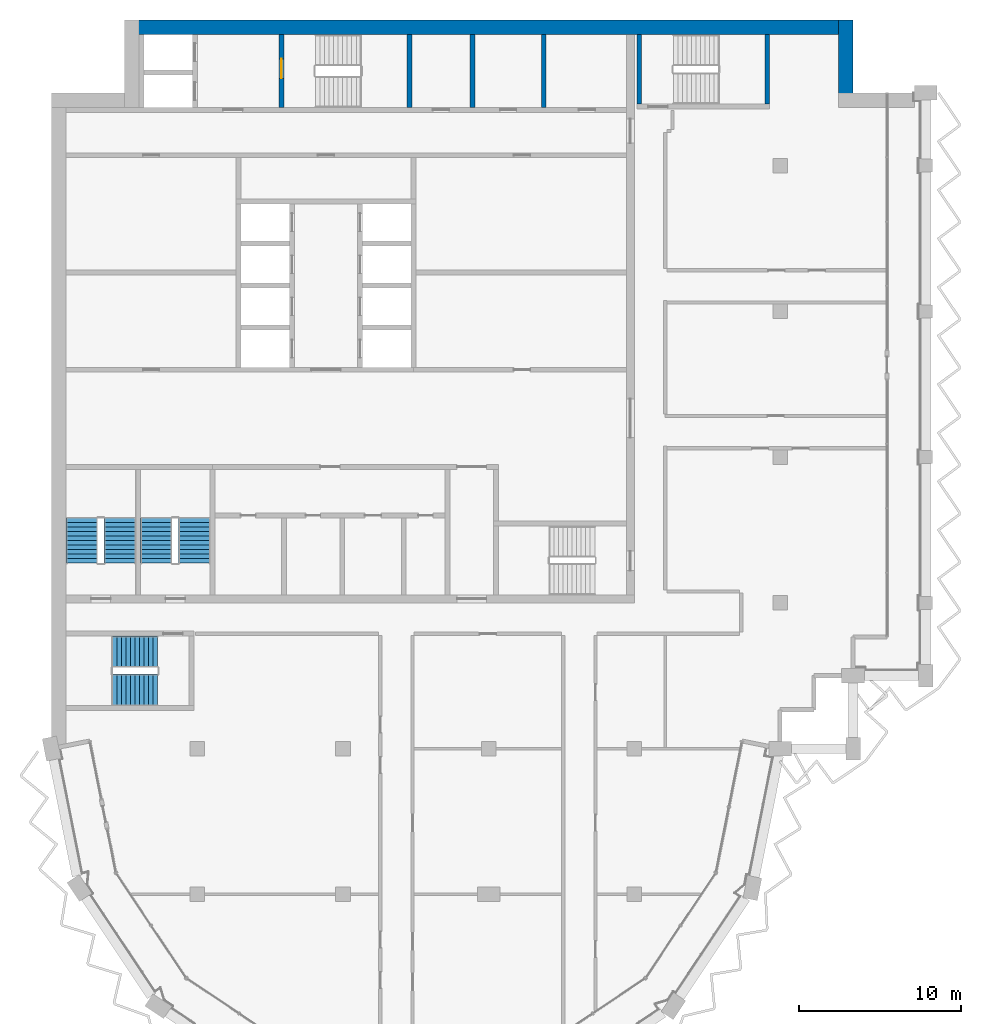
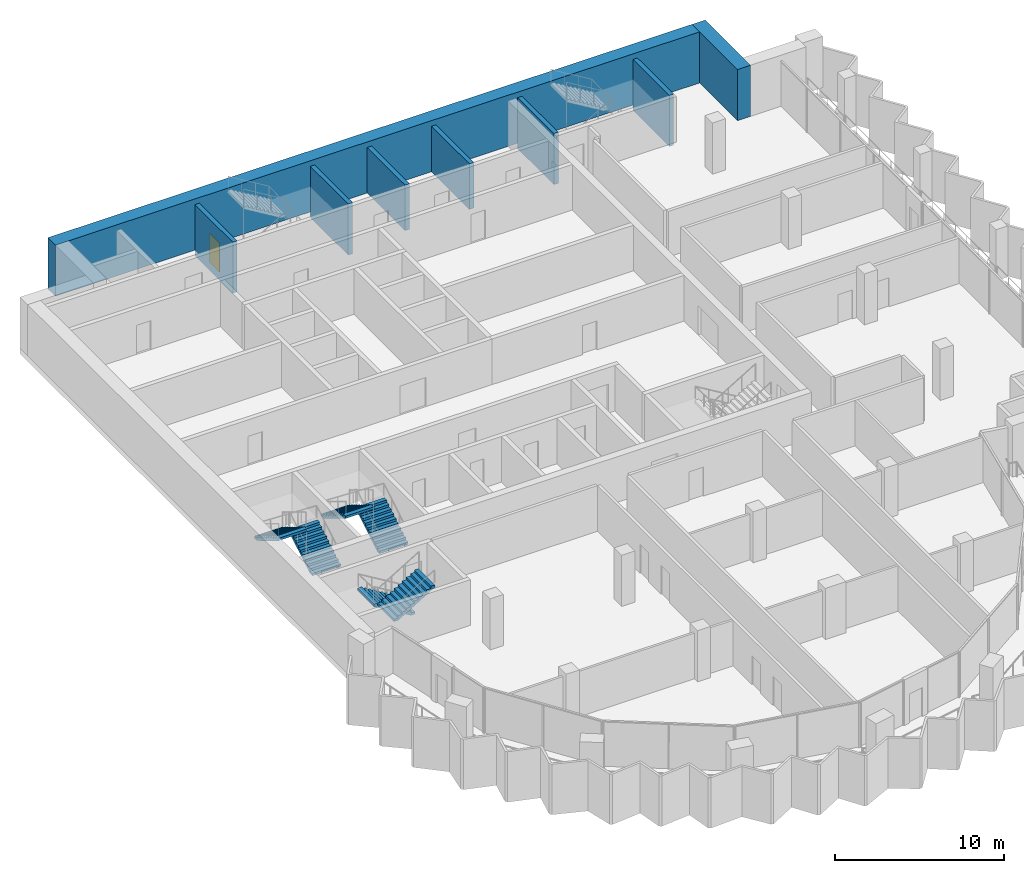
# One storey, part 10 of 14: 8 walls, 6 stair flights, 1 door, 1 opening, 3 elements without a shape of their own.
"""IFC4 building model written with IfcOpenShell, lengths in metres."""

from ifc_helpers import new_model, si_unit, direction, frame, frame_2d, origin, place, context, subcontext, project, spatial, polyline, rectangle, outline, extrude, material, layer, layer_set, type_object, element, fill, aggregate, save


model = new_model("IFC4")

# Units and contexts
model_context = context("Model", 3, precision=1e-05, world=origin(), true_north=direction((0.0, 1.0)))
body_context = subcontext(model_context, "Body", "Model", "MODEL_VIEW")
ifc_project = project(units=[si_unit("LENGTHUNIT", "METRE"), si_unit("AREAUNIT", "SQUARE_METRE"), si_unit("VOLUMEUNIT", "CUBIC_METRE"), si_unit("PLANEANGLEUNIT", "RADIAN"), si_unit("MASSUNIT", "GRAM", prefix="KILO")], contexts=[model_context])

# Site, building, storey
site_placement = place(None, origin())
site = spatial("IfcSite", under=ifc_project, at=site_placement, CompositionType="ELEMENT")
building_placement = place(site_placement, origin())
building = spatial("IfcBuilding", under=site, at=building_placement, Name="Hunhe Ridgeline Campus", CompositionType="ELEMENT")
storey_placement = place(building_placement, frame((0.0, 0.0, 288.199951171875)))
storey = spatial("IfcBuildingStorey", under=building, at=storey_placement, Name="L74", CompositionType="ELEMENT", Elevation=288.199951171875)

# Walls
ifc_material_1 = material(Name="Masonry concrete blockwork", Category="masonry")
ifc_layer_1 = layer(ifc_material_1, 0.300048828125)
ifc_layer_set_1 = layer_set([ifc_layer_1], Name="Core room partition 300 concrete block")
wall_type_1 = type_object("IfcWallType", Name="Core room partition 300 concrete block", PredefinedType="PARTITIONING", material=ifc_layer_set_1)
for number, where, z_axis, x_axis, name in (
    (1, (26.0, 93.60009765625, 0.0), (0.0, 0.0, 1.0), (0.0, 1.0, 0.0), "L74 core partition 40"),
    (2, (30.39990234375, 93.60009765625, 0.0), (0.0, 0.0, 1.0), (0.0, 1.0, 0.0), "L74 core partition 43"),
):
    element("IfcWall", number, at=place(storey_placement, frame(where, z_axis=z_axis, x_axis=x_axis)), inside=storey, type_object=wall_type_1, Name=name, PredefinedType="PARTITIONING", context=body_context, shape_type="SweptSolid", body=[
        extrude(rectangle(XDim=4.5, YDim=0.300048828125, at=frame_2d((2.25, 0.0))), origin(), (0.0, 0.0, 1.0), 3.300048828125),
    ])
ifc_material_2 = material(Name="Concrete C50", Category="concrete")
ifc_layer_2 = layer(ifc_material_2, 0.89990234375)
ifc_layer_set_2 = layer_set([ifc_layer_2], Name="Spine wall 900 Concrete C50")
wall_type_2 = type_object("IfcWallType", Name="Spine wall 900 Concrete C50", PredefinedType="SHEAR", material=ifc_layer_set_2)
wall_1_placement = place(storey_placement, frame((49.050048828125, 93.60009765625, 0.0), z_axis=(0.0, 0.0, 1.0), x_axis=(0.0, 1.0, 0.0)))
element("IfcWall", 3, at=wall_1_placement, inside=storey, type_object=wall_type_2, Name="Spine wall SW4-3 L74", PredefinedType="SHEAR", context=body_context, shape_type="SweptSolid", body=[
    extrude(rectangle(XDim=5.39990234375, YDim=0.89990234375, at=frame_2d((2.699951171875, 0.0))), origin(), (0.0, 0.0, 1.0), 3.699951171875),
])
wall_2_placement = place(storey_placement, frame((49.5, 98.550048828125, 0.0), z_axis=(0.0, 0.0, 1.0), x_axis=(-1.0, 0.0, 0.0)))
element("IfcWall", 4, at=wall_2_placement, inside=storey, type_object=wall_type_2, Name="Spine wall SW4-4 L74", PredefinedType="SHEAR", context=body_context, shape_type="SweptSolid", body=[
    extrude(rectangle(XDim=45.0, YDim=0.89990234375, at=frame_2d((22.5, 0.0))), origin(), (0.0, 0.0, 1.0), 3.699951171875),
])

# Wall, opening, door
ifc_layer_3 = layer(ifc_material_2, 0.300048828125)
ifc_layer_set_3 = layer_set([ifc_layer_3], Name="Stair wall 300 reinforced concrete C50")
wall_type_3 = type_object("IfcWallType", Name="Stair wall 300 reinforced concrete C50", PredefinedType="SOLIDWALL", material=ifc_layer_set_3)
wall_3_placement = place(storey_placement, frame((14.199951171875, 93.60009765625, -0.39990234375), z_axis=(0.0, 0.0, 1.0), x_axis=(0.0, 1.0, 0.0)))
wall_3 = element("IfcWall", 5, at=wall_3_placement, inside=storey, type_object=wall_type_3, Name="L74 core wall 30", PredefinedType="SOLIDWALL", context=body_context, shape_type="SweptSolid", body=[
    extrude(rectangle(XDim=4.5, YDim=0.300048828125, at=frame_2d((2.25, 0.0))), origin(), (0.0, 0.0, 1.0), 3.699951171875),
])
opening_placement = place(wall_3_placement, frame((1.800048828125, 0.0, 0.39990234375)))
opening = element("IfcOpeningElement", 6, at=opening_placement, cuts=wall_3, Name="Opening CD16", PredefinedType="OPENING", context=body_context, shape_type="SweptSolid", body=[
    extrude(rectangle(XDim=1.199951171875, YDim=2.10009765625, at=frame_2d((0.60009765625, 1.050048828125))), frame((0.0, 0.14990234375, 0.0), z_axis=(0.0, -1.0, 0.0), x_axis=(1.0, 0.0, 0.0)), (0.0, 0.0, 1.0), 0.300048828125),
])
ifc_material_3 = material(Name="Hollow metal fire door leaf")
door_type = type_object("IfcDoorType", Name="Stair door 1200x2100 FD60", OperationType="SINGLE_SWING_LEFT", PredefinedType="DOOR", material=ifc_material_3)
door_placement = place(opening_placement, origin())
door = element("IfcDoor", 7, at=door_placement, inside=storey, type_object=door_type, Name="L74 door S1-FF", OperationType="SINGLE_SWING_RIGHT", OverallHeight=2.10009765625, OverallWidth=1.199951171875, PredefinedType="DOOR", context=body_context, shape_type="SweptSolid", body=[
    extrude(rectangle(XDim=1.199951171875, YDim=2.10009765625, at=frame_2d((0.60009765625, 1.050048828125))), frame((0.0, 0.02490234375, 0.0), z_axis=(0.0, -1.0, 0.0), x_axis=(1.0, 0.0, 0.0)), (0.0, 0.0, 1.0), 0.050048828125),
])
fill(opening, door)

# Walls
wall_4_placement = place(storey_placement, frame((22.10009765625, 93.60009765625, -0.39990234375), z_axis=(0.0, 0.0, 1.0), x_axis=(0.0, 1.0, 0.0)))
element("IfcWall", 8, at=wall_4_placement, inside=storey, type_object=wall_type_3, Name="L74 core wall 36", PredefinedType="SOLIDWALL", context=body_context, shape_type="SweptSolid", body=[
    extrude(rectangle(XDim=4.5, YDim=0.300048828125, at=frame_2d((2.25, 0.0))), origin(), (0.0, 0.0, 1.0), 3.699951171875),
])
for number, where, z_axis, x_axis, name in (
    (9, (36.300048828125, 93.800048828125, -0.39990234375), (0.0, 0.0, 1.0), (0.0, 1.0, 0.0), "L74 core wall 45"),
    (10, (44.199951171875, 93.800048828125, -0.39990234375), (0.0, 0.0, 1.0), (0.0, 1.0, 0.0), "L74 core wall 46"),
):
    element("IfcWall", number, at=place(storey_placement, frame(where, z_axis=z_axis, x_axis=x_axis)), inside=storey, type_object=wall_type_3, Name=name, PredefinedType="SOLIDWALL", context=body_context, shape_type="SweptSolid", body=[
        extrude(rectangle(XDim=4.300048828125, YDim=0.300048828125, at=frame_2d((2.14990234375, 0.0))), origin(), (0.0, 0.0, 1.0), 3.699951171875),
    ])

# Stair, stair flights
ifc_material_4 = material(Name="Concrete C40", Category="concrete")
stair_type = type_object("IfcStairType", Name="Reinforced concrete dog-leg stair 1950 Concrete C40", PredefinedType="HALF_TURN_STAIR", material=ifc_material_4)
stair_1_placement = place(storey_placement, origin())
stair_1 = element("IfcStair", 11, at=stair_1_placement, inside=storey, type_object=stair_type, Name="L74 S3", PredefinedType="HALF_TURN_STAIR")
stair_flight_type = type_object("IfcStairFlightType", Name="Reinforced concrete stair flight 1950 Concrete C40", PredefinedType="STRAIGHT", material=ifc_material_4)
stair_flight_1_placement = place(storey_placement, frame((4.22509765625, 65.449951171875, 0.0), z_axis=(0.0, 0.0, 1.0), x_axis=(0.0, 1.0, 0.0)))
stair_flight_1 = element("IfcStairFlight", 12, at=stair_flight_1_placement, type_object=stair_flight_type, Name="ST3 flight 1", NumberOfRisers=11, NumberOfTreads=10, PredefinedType="STRAIGHT", RiserHeight=0.168181818, TreadLength=0.28, context=body_context, shape_type="SweptSolid", body=[
    extrude(outline(polyline([(0.0, 0.0), (0.0, 0.168212890625), (0.280029296875, 0.168212890625), (0.280029296875, 0.33642578125), (0.56005859375, 0.33642578125), (0.56005859375, 0.504638671875), (0.840087890625, 0.504638671875), (0.840087890625, 0.672607421875), (1.1201171875, 0.672607421875), (1.1201171875, 0.8408203125), (1.39990234375, 0.8408203125), (1.39990234375, 1.009033203125), (1.679931640625, 1.009033203125), (1.679931640625, 1.17724609375), (1.9599609375, 1.17724609375), (1.9599609375, 1.345458984375), (2.239990234375, 1.345458984375), (2.239990234375, 1.513671875), (2.52001953125, 1.513671875), (2.52001953125, 1.681884765625), (2.800048828125, 1.681884765625), (2.800048828125, 1.85009765625), (2.800048828125, 1.5068359375), (0.291015625, 0.0), (0.0, 0.0)])), frame((0.0, 0.97509765625, 0.0), z_axis=(0.0, -1.0, 0.0), x_axis=(1.0, 0.0, 0.0)), (0.0, 0.0, 1.0), 1.949951171875),
    extrude(outline(polyline([(0.030029296875, 0.030029296875), (0.030029296875, 0.13818359375), (0.31005859375, 0.13818359375), (0.31005859375, 0.306396484375), (0.590087890625, 0.306396484375), (0.590087890625, 0.474609375), (0.8701171875, 0.474609375), (0.8701171875, 0.642578125), (1.14990234375, 0.642578125), (1.14990234375, 0.810791015625), (1.429931640625, 0.810791015625), (1.429931640625, 0.97900390625), (1.7099609375, 0.97900390625), (1.7099609375, 1.147216796875), (1.989990234375, 1.147216796875), (1.989990234375, 1.3154296875), (2.27001953125, 1.3154296875), (2.27001953125, 1.483642578125), (2.550048828125, 1.483642578125), (2.550048828125, 1.65185546875), (2.77001953125, 1.65185546875), (2.77001953125, 1.52392578125), (0.28271484375, 0.030029296875), (0.030029296875, 0.030029296875)])), frame((0.0, -0.070068359375, 0.0), z_axis=(0.0, -1.0, 0.0), x_axis=(1.0, 0.0, 0.0)), (0.0, 0.0, 1.0), 0.019775390625),
    extrude(outline(polyline([(0.030029296875, 0.030029296875), (0.030029296875, 0.13818359375), (0.31005859375, 0.13818359375), (0.31005859375, 0.306396484375), (0.590087890625, 0.306396484375), (0.590087890625, 0.474609375), (0.8701171875, 0.474609375), (0.8701171875, 0.642578125), (1.14990234375, 0.642578125), (1.14990234375, 0.810791015625), (1.429931640625, 0.810791015625), (1.429931640625, 0.97900390625), (1.7099609375, 0.97900390625), (1.7099609375, 1.147216796875), (1.989990234375, 1.147216796875), (1.989990234375, 1.3154296875), (2.27001953125, 1.3154296875), (2.27001953125, 1.483642578125), (2.550048828125, 1.483642578125), (2.550048828125, 1.65185546875), (2.77001953125, 1.65185546875), (2.77001953125, 1.52392578125), (0.28271484375, 0.030029296875), (0.030029296875, 0.030029296875)])), frame((0.0, 0.010009765625, 0.0), z_axis=(0.0, -1.0, 0.0), x_axis=(1.0, 0.0, 0.0)), (0.0, 0.0, 1.0), 0.019775390625),
    extrude(outline(polyline([(0.030029296875, 0.030029296875), (0.030029296875, 0.13818359375), (0.31005859375, 0.13818359375), (0.31005859375, 0.306396484375), (0.590087890625, 0.306396484375), (0.590087890625, 0.474609375), (0.8701171875, 0.474609375), (0.8701171875, 0.642578125), (1.14990234375, 0.642578125), (1.14990234375, 0.810791015625), (1.429931640625, 0.810791015625), (1.429931640625, 0.97900390625), (1.7099609375, 0.97900390625), (1.7099609375, 1.147216796875), (1.989990234375, 1.147216796875), (1.989990234375, 1.3154296875), (2.27001953125, 1.3154296875), (2.27001953125, 1.483642578125), (2.550048828125, 1.483642578125), (2.550048828125, 1.65185546875), (2.77001953125, 1.65185546875), (2.77001953125, 1.52392578125), (0.28271484375, 0.030029296875), (0.030029296875, 0.030029296875)])), frame((0.0, 0.090087890625, 0.0), z_axis=(0.0, -1.0, 0.0), x_axis=(1.0, 0.0, 0.0)), (0.0, 0.0, 1.0), 0.019775390625),
])
stair_flight_2_placement = place(storey_placement, frame((1.875, 68.25, 1.85009765625), z_axis=(0.0, 0.0, 1.0), x_axis=(0.0, -1.0, 0.0)))
stair_flight_2 = element("IfcStairFlight", 13, at=stair_flight_2_placement, type_object=stair_flight_type, Name="ST3 flight 2", NumberOfRisers=11, NumberOfTreads=10, PredefinedType="STRAIGHT", RiserHeight=0.168181818, TreadLength=0.28, context=body_context, shape_type="SweptSolid", body=[
    extrude(outline(polyline([(0.0, 0.0), (0.0, 0.168212890625), (0.280029296875, 0.168212890625), (0.280029296875, 0.33642578125), (0.56005859375, 0.33642578125), (0.56005859375, 0.504638671875), (0.840087890625, 0.504638671875), (0.840087890625, 0.672607421875), (1.1201171875, 0.672607421875), (1.1201171875, 0.8408203125), (1.39990234375, 0.8408203125), (1.39990234375, 1.009033203125), (1.679931640625, 1.009033203125), (1.679931640625, 1.17724609375), (1.9599609375, 1.17724609375), (1.9599609375, 1.345458984375), (2.239990234375, 1.345458984375), (2.239990234375, 1.513671875), (2.52001953125, 1.513671875), (2.52001953125, 1.681884765625), (2.800048828125, 1.681884765625), (2.800048828125, 1.85009765625), (2.800048828125, 1.5068359375), (0.291015625, 0.0), (0.0, 0.0)])), frame((0.0, 0.97509765625, 0.0), z_axis=(0.0, -1.0, 0.0), x_axis=(1.0, 0.0, 0.0)), (0.0, 0.0, 1.0), 1.949951171875),
    extrude(outline(polyline([(0.030029296875, 0.030029296875), (0.030029296875, 0.13818359375), (0.31005859375, 0.13818359375), (0.31005859375, 0.306396484375), (0.590087890625, 0.306396484375), (0.590087890625, 0.474609375), (0.8701171875, 0.474609375), (0.8701171875, 0.642578125), (1.14990234375, 0.642578125), (1.14990234375, 0.810791015625), (1.429931640625, 0.810791015625), (1.429931640625, 0.97900390625), (1.7099609375, 0.97900390625), (1.7099609375, 1.147216796875), (1.989990234375, 1.147216796875), (1.989990234375, 1.3154296875), (2.27001953125, 1.3154296875), (2.27001953125, 1.483642578125), (2.550048828125, 1.483642578125), (2.550048828125, 1.65185546875), (2.77001953125, 1.65185546875), (2.77001953125, 1.52392578125), (0.28271484375, 0.030029296875), (0.030029296875, 0.030029296875)])), frame((0.0, -0.070068359375, 0.0), z_axis=(0.0, -1.0, 0.0), x_axis=(1.0, 0.0, 0.0)), (0.0, 0.0, 1.0), 0.019775390625),
    extrude(outline(polyline([(0.030029296875, 0.030029296875), (0.030029296875, 0.13818359375), (0.31005859375, 0.13818359375), (0.31005859375, 0.306396484375), (0.590087890625, 0.306396484375), (0.590087890625, 0.474609375), (0.8701171875, 0.474609375), (0.8701171875, 0.642578125), (1.14990234375, 0.642578125), (1.14990234375, 0.810791015625), (1.429931640625, 0.810791015625), (1.429931640625, 0.97900390625), (1.7099609375, 0.97900390625), (1.7099609375, 1.147216796875), (1.989990234375, 1.147216796875), (1.989990234375, 1.3154296875), (2.27001953125, 1.3154296875), (2.27001953125, 1.483642578125), (2.550048828125, 1.483642578125), (2.550048828125, 1.65185546875), (2.77001953125, 1.65185546875), (2.77001953125, 1.52392578125), (0.28271484375, 0.030029296875), (0.030029296875, 0.030029296875)])), frame((0.0, 0.010009765625, 0.0), z_axis=(0.0, -1.0, 0.0), x_axis=(1.0, 0.0, 0.0)), (0.0, 0.0, 1.0), 0.019775390625),
    extrude(outline(polyline([(0.030029296875, 0.030029296875), (0.030029296875, 0.13818359375), (0.31005859375, 0.13818359375), (0.31005859375, 0.306396484375), (0.590087890625, 0.306396484375), (0.590087890625, 0.474609375), (0.8701171875, 0.474609375), (0.8701171875, 0.642578125), (1.14990234375, 0.642578125), (1.14990234375, 0.810791015625), (1.429931640625, 0.810791015625), (1.429931640625, 0.97900390625), (1.7099609375, 0.97900390625), (1.7099609375, 1.147216796875), (1.989990234375, 1.147216796875), (1.989990234375, 1.3154296875), (2.27001953125, 1.3154296875), (2.27001953125, 1.483642578125), (2.550048828125, 1.483642578125), (2.550048828125, 1.65185546875), (2.77001953125, 1.65185546875), (2.77001953125, 1.52392578125), (0.28271484375, 0.030029296875), (0.030029296875, 0.030029296875)])), frame((0.0, 0.090087890625, 0.0), z_axis=(0.0, -1.0, 0.0), x_axis=(1.0, 0.0, 0.0)), (0.0, 0.0, 1.0), 0.019775390625),
])
aggregate(stair_1, [stair_flight_1, stair_flight_2])

stair_2_placement = place(storey_placement, origin())
stair_2 = element("IfcStair", 14, at=stair_2_placement, inside=storey, type_object=stair_type, Name="L74 S4", PredefinedType="HALF_TURN_STAIR")
stair_flight_3_placement = place(storey_placement, frame((8.824951171875, 65.449951171875, 0.0), z_axis=(0.0, 0.0, 1.0), x_axis=(0.0, 1.0, 0.0)))
stair_flight_3 = element("IfcStairFlight", 15, at=stair_flight_3_placement, type_object=stair_flight_type, Name="ST4 flight 1", NumberOfRisers=11, NumberOfTreads=10, PredefinedType="STRAIGHT", RiserHeight=0.168181818, TreadLength=0.28, context=body_context, shape_type="SweptSolid", body=[
    extrude(outline(polyline([(0.0, 0.0), (0.0, 0.168212890625), (0.280029296875, 0.168212890625), (0.280029296875, 0.33642578125), (0.56005859375, 0.33642578125), (0.56005859375, 0.504638671875), (0.840087890625, 0.504638671875), (0.840087890625, 0.672607421875), (1.1201171875, 0.672607421875), (1.1201171875, 0.8408203125), (1.39990234375, 0.8408203125), (1.39990234375, 1.009033203125), (1.679931640625, 1.009033203125), (1.679931640625, 1.17724609375), (1.9599609375, 1.17724609375), (1.9599609375, 1.345458984375), (2.239990234375, 1.345458984375), (2.239990234375, 1.513671875), (2.52001953125, 1.513671875), (2.52001953125, 1.681884765625), (2.800048828125, 1.681884765625), (2.800048828125, 1.85009765625), (2.800048828125, 1.5068359375), (0.291015625, 0.0), (0.0, 0.0)])), frame((0.0, 0.97509765625, 0.0), z_axis=(0.0, -1.0, 0.0), x_axis=(1.0, 0.0, 0.0)), (0.0, 0.0, 1.0), 1.949951171875),
    extrude(outline(polyline([(0.030029296875, 0.030029296875), (0.030029296875, 0.13818359375), (0.31005859375, 0.13818359375), (0.31005859375, 0.306396484375), (0.590087890625, 0.306396484375), (0.590087890625, 0.474609375), (0.8701171875, 0.474609375), (0.8701171875, 0.642578125), (1.14990234375, 0.642578125), (1.14990234375, 0.810791015625), (1.429931640625, 0.810791015625), (1.429931640625, 0.97900390625), (1.7099609375, 0.97900390625), (1.7099609375, 1.147216796875), (1.989990234375, 1.147216796875), (1.989990234375, 1.3154296875), (2.27001953125, 1.3154296875), (2.27001953125, 1.483642578125), (2.550048828125, 1.483642578125), (2.550048828125, 1.65185546875), (2.77001953125, 1.65185546875), (2.77001953125, 1.52392578125), (0.28271484375, 0.030029296875), (0.030029296875, 0.030029296875)])), frame((0.0, -0.070068359375, 0.0), z_axis=(0.0, -1.0, 0.0), x_axis=(1.0, 0.0, 0.0)), (0.0, 0.0, 1.0), 0.019775390625),
    extrude(outline(polyline([(0.030029296875, 0.030029296875), (0.030029296875, 0.13818359375), (0.31005859375, 0.13818359375), (0.31005859375, 0.306396484375), (0.590087890625, 0.306396484375), (0.590087890625, 0.474609375), (0.8701171875, 0.474609375), (0.8701171875, 0.642578125), (1.14990234375, 0.642578125), (1.14990234375, 0.810791015625), (1.429931640625, 0.810791015625), (1.429931640625, 0.97900390625), (1.7099609375, 0.97900390625), (1.7099609375, 1.147216796875), (1.989990234375, 1.147216796875), (1.989990234375, 1.3154296875), (2.27001953125, 1.3154296875), (2.27001953125, 1.483642578125), (2.550048828125, 1.483642578125), (2.550048828125, 1.65185546875), (2.77001953125, 1.65185546875), (2.77001953125, 1.52392578125), (0.28271484375, 0.030029296875), (0.030029296875, 0.030029296875)])), frame((0.0, 0.010009765625, 0.0), z_axis=(0.0, -1.0, 0.0), x_axis=(1.0, 0.0, 0.0)), (0.0, 0.0, 1.0), 0.019775390625),
    extrude(outline(polyline([(0.030029296875, 0.030029296875), (0.030029296875, 0.13818359375), (0.31005859375, 0.13818359375), (0.31005859375, 0.306396484375), (0.590087890625, 0.306396484375), (0.590087890625, 0.474609375), (0.8701171875, 0.474609375), (0.8701171875, 0.642578125), (1.14990234375, 0.642578125), (1.14990234375, 0.810791015625), (1.429931640625, 0.810791015625), (1.429931640625, 0.97900390625), (1.7099609375, 0.97900390625), (1.7099609375, 1.147216796875), (1.989990234375, 1.147216796875), (1.989990234375, 1.3154296875), (2.27001953125, 1.3154296875), (2.27001953125, 1.483642578125), (2.550048828125, 1.483642578125), (2.550048828125, 1.65185546875), (2.77001953125, 1.65185546875), (2.77001953125, 1.52392578125), (0.28271484375, 0.030029296875), (0.030029296875, 0.030029296875)])), frame((0.0, 0.090087890625, 0.0), z_axis=(0.0, -1.0, 0.0), x_axis=(1.0, 0.0, 0.0)), (0.0, 0.0, 1.0), 0.019775390625),
])
stair_flight_4_placement = place(storey_placement, frame((6.47509765625, 68.25, 1.85009765625), z_axis=(0.0, 0.0, 1.0), x_axis=(0.0, -1.0, 0.0)))
stair_flight_4 = element("IfcStairFlight", 16, at=stair_flight_4_placement, type_object=stair_flight_type, Name="ST4 flight 2", NumberOfRisers=11, NumberOfTreads=10, PredefinedType="STRAIGHT", RiserHeight=0.168181818, TreadLength=0.28, context=body_context, shape_type="SweptSolid", body=[
    extrude(outline(polyline([(0.0, 0.0), (0.0, 0.168212890625), (0.280029296875, 0.168212890625), (0.280029296875, 0.33642578125), (0.56005859375, 0.33642578125), (0.56005859375, 0.504638671875), (0.840087890625, 0.504638671875), (0.840087890625, 0.672607421875), (1.1201171875, 0.672607421875), (1.1201171875, 0.8408203125), (1.39990234375, 0.8408203125), (1.39990234375, 1.009033203125), (1.679931640625, 1.009033203125), (1.679931640625, 1.17724609375), (1.9599609375, 1.17724609375), (1.9599609375, 1.345458984375), (2.239990234375, 1.345458984375), (2.239990234375, 1.513671875), (2.52001953125, 1.513671875), (2.52001953125, 1.681884765625), (2.800048828125, 1.681884765625), (2.800048828125, 1.85009765625), (2.800048828125, 1.5068359375), (0.291015625, 0.0), (0.0, 0.0)])), frame((0.0, 0.97509765625, 0.0), z_axis=(0.0, -1.0, 0.0), x_axis=(1.0, 0.0, 0.0)), (0.0, 0.0, 1.0), 1.949951171875),
    extrude(outline(polyline([(0.030029296875, 0.030029296875), (0.030029296875, 0.13818359375), (0.31005859375, 0.13818359375), (0.31005859375, 0.306396484375), (0.590087890625, 0.306396484375), (0.590087890625, 0.474609375), (0.8701171875, 0.474609375), (0.8701171875, 0.642578125), (1.14990234375, 0.642578125), (1.14990234375, 0.810791015625), (1.429931640625, 0.810791015625), (1.429931640625, 0.97900390625), (1.7099609375, 0.97900390625), (1.7099609375, 1.147216796875), (1.989990234375, 1.147216796875), (1.989990234375, 1.3154296875), (2.27001953125, 1.3154296875), (2.27001953125, 1.483642578125), (2.550048828125, 1.483642578125), (2.550048828125, 1.65185546875), (2.77001953125, 1.65185546875), (2.77001953125, 1.52392578125), (0.28271484375, 0.030029296875), (0.030029296875, 0.030029296875)])), frame((0.0, -0.070068359375, 0.0), z_axis=(0.0, -1.0, 0.0), x_axis=(1.0, 0.0, 0.0)), (0.0, 0.0, 1.0), 0.019775390625),
    extrude(outline(polyline([(0.030029296875, 0.030029296875), (0.030029296875, 0.13818359375), (0.31005859375, 0.13818359375), (0.31005859375, 0.306396484375), (0.590087890625, 0.306396484375), (0.590087890625, 0.474609375), (0.8701171875, 0.474609375), (0.8701171875, 0.642578125), (1.14990234375, 0.642578125), (1.14990234375, 0.810791015625), (1.429931640625, 0.810791015625), (1.429931640625, 0.97900390625), (1.7099609375, 0.97900390625), (1.7099609375, 1.147216796875), (1.989990234375, 1.147216796875), (1.989990234375, 1.3154296875), (2.27001953125, 1.3154296875), (2.27001953125, 1.483642578125), (2.550048828125, 1.483642578125), (2.550048828125, 1.65185546875), (2.77001953125, 1.65185546875), (2.77001953125, 1.52392578125), (0.28271484375, 0.030029296875), (0.030029296875, 0.030029296875)])), frame((0.0, 0.010009765625, 0.0), z_axis=(0.0, -1.0, 0.0), x_axis=(1.0, 0.0, 0.0)), (0.0, 0.0, 1.0), 0.019775390625),
    extrude(outline(polyline([(0.030029296875, 0.030029296875), (0.030029296875, 0.13818359375), (0.31005859375, 0.13818359375), (0.31005859375, 0.306396484375), (0.590087890625, 0.306396484375), (0.590087890625, 0.474609375), (0.8701171875, 0.474609375), (0.8701171875, 0.642578125), (1.14990234375, 0.642578125), (1.14990234375, 0.810791015625), (1.429931640625, 0.810791015625), (1.429931640625, 0.97900390625), (1.7099609375, 0.97900390625), (1.7099609375, 1.147216796875), (1.989990234375, 1.147216796875), (1.989990234375, 1.3154296875), (2.27001953125, 1.3154296875), (2.27001953125, 1.483642578125), (2.550048828125, 1.483642578125), (2.550048828125, 1.65185546875), (2.77001953125, 1.65185546875), (2.77001953125, 1.52392578125), (0.28271484375, 0.030029296875), (0.030029296875, 0.030029296875)])), frame((0.0, 0.090087890625, 0.0), z_axis=(0.0, -1.0, 0.0), x_axis=(1.0, 0.0, 0.0)), (0.0, 0.0, 1.0), 0.019775390625),
])
aggregate(stair_2, [stair_flight_3, stair_flight_4])

stair_3_placement = place(storey_placement, origin())
stair_3 = element("IfcStair", 17, at=stair_3_placement, inside=storey, type_object=stair_type, Name="L74 W2", PredefinedType="HALF_TURN_STAIR")
stair_flight_5_placement = place(storey_placement, frame((6.550048828125, 59.97509765625, 0.0), z_axis=(0.0, 0.0, 1.0), x_axis=(-1.0, 0.0, 0.0)))
stair_flight_5 = element("IfcStairFlight", 18, at=stair_flight_5_placement, type_object=stair_flight_type, Name="ST12 flight 1", NumberOfRisers=11, NumberOfTreads=10, PredefinedType="STRAIGHT", RiserHeight=0.168181818, TreadLength=0.28, context=body_context, shape_type="SweptSolid", body=[
    extrude(outline(polyline([(0.0, 0.0), (0.0, 0.168212890625), (0.280029296875, 0.168212890625), (0.280029296875, 0.33642578125), (0.56005859375, 0.33642578125), (0.56005859375, 0.504638671875), (0.840087890625, 0.504638671875), (0.840087890625, 0.672607421875), (1.1201171875, 0.672607421875), (1.1201171875, 0.8408203125), (1.39990234375, 0.8408203125), (1.39990234375, 1.009033203125), (1.679931640625, 1.009033203125), (1.679931640625, 1.17724609375), (1.9599609375, 1.17724609375), (1.9599609375, 1.345458984375), (2.239990234375, 1.345458984375), (2.239990234375, 1.513671875), (2.52001953125, 1.513671875), (2.52001953125, 1.681884765625), (2.800048828125, 1.681884765625), (2.800048828125, 1.85009765625), (2.800048828125, 1.5068359375), (0.291015625, 0.0), (0.0, 0.0)])), frame((0.0, 0.97509765625, 0.0), z_axis=(0.0, -1.0, 0.0), x_axis=(1.0, 0.0, 0.0)), (0.0, 0.0, 1.0), 1.949951171875),
    extrude(outline(polyline([(0.030029296875, 0.030029296875), (0.030029296875, 0.13818359375), (0.31005859375, 0.13818359375), (0.31005859375, 0.306396484375), (0.590087890625, 0.306396484375), (0.590087890625, 0.474609375), (0.8701171875, 0.474609375), (0.8701171875, 0.642578125), (1.14990234375, 0.642578125), (1.14990234375, 0.810791015625), (1.429931640625, 0.810791015625), (1.429931640625, 0.97900390625), (1.7099609375, 0.97900390625), (1.7099609375, 1.147216796875), (1.989990234375, 1.147216796875), (1.989990234375, 1.3154296875), (2.27001953125, 1.3154296875), (2.27001953125, 1.483642578125), (2.550048828125, 1.483642578125), (2.550048828125, 1.65185546875), (2.77001953125, 1.65185546875), (2.77001953125, 1.52392578125), (0.28271484375, 0.030029296875), (0.030029296875, 0.030029296875)])), frame((0.0, -0.070068359375, 0.0), z_axis=(0.0, -1.0, 0.0), x_axis=(1.0, 0.0, 0.0)), (0.0, 0.0, 1.0), 0.019775390625),
    extrude(outline(polyline([(0.030029296875, 0.030029296875), (0.030029296875, 0.13818359375), (0.31005859375, 0.13818359375), (0.31005859375, 0.306396484375), (0.590087890625, 0.306396484375), (0.590087890625, 0.474609375), (0.8701171875, 0.474609375), (0.8701171875, 0.642578125), (1.14990234375, 0.642578125), (1.14990234375, 0.810791015625), (1.429931640625, 0.810791015625), (1.429931640625, 0.97900390625), (1.7099609375, 0.97900390625), (1.7099609375, 1.147216796875), (1.989990234375, 1.147216796875), (1.989990234375, 1.3154296875), (2.27001953125, 1.3154296875), (2.27001953125, 1.483642578125), (2.550048828125, 1.483642578125), (2.550048828125, 1.65185546875), (2.77001953125, 1.65185546875), (2.77001953125, 1.52392578125), (0.28271484375, 0.030029296875), (0.030029296875, 0.030029296875)])), frame((0.0, 0.010009765625, 0.0), z_axis=(0.0, -1.0, 0.0), x_axis=(1.0, 0.0, 0.0)), (0.0, 0.0, 1.0), 0.019775390625),
    extrude(outline(polyline([(0.030029296875, 0.030029296875), (0.030029296875, 0.13818359375), (0.31005859375, 0.13818359375), (0.31005859375, 0.306396484375), (0.590087890625, 0.306396484375), (0.590087890625, 0.474609375), (0.8701171875, 0.474609375), (0.8701171875, 0.642578125), (1.14990234375, 0.642578125), (1.14990234375, 0.810791015625), (1.429931640625, 0.810791015625), (1.429931640625, 0.97900390625), (1.7099609375, 0.97900390625), (1.7099609375, 1.147216796875), (1.989990234375, 1.147216796875), (1.989990234375, 1.3154296875), (2.27001953125, 1.3154296875), (2.27001953125, 1.483642578125), (2.550048828125, 1.483642578125), (2.550048828125, 1.65185546875), (2.77001953125, 1.65185546875), (2.77001953125, 1.52392578125), (0.28271484375, 0.030029296875), (0.030029296875, 0.030029296875)])), frame((0.0, 0.090087890625, 0.0), z_axis=(0.0, -1.0, 0.0), x_axis=(1.0, 0.0, 0.0)), (0.0, 0.0, 1.0), 0.019775390625),
])
stair_flight_6_placement = place(storey_placement, frame((3.75, 57.625, 1.85009765625), z_axis=(0.0, 0.0, 1.0), x_axis=(1.0, 0.0, 0.0)))
stair_flight_6 = element("IfcStairFlight", 19, at=stair_flight_6_placement, type_object=stair_flight_type, Name="ST12 flight 2", NumberOfRisers=11, NumberOfTreads=10, PredefinedType="STRAIGHT", RiserHeight=0.168181818, TreadLength=0.28, context=body_context, shape_type="SweptSolid", body=[
    extrude(outline(polyline([(0.0, 0.0), (0.0, 0.168212890625), (0.280029296875, 0.168212890625), (0.280029296875, 0.33642578125), (0.56005859375, 0.33642578125), (0.56005859375, 0.504638671875), (0.840087890625, 0.504638671875), (0.840087890625, 0.672607421875), (1.1201171875, 0.672607421875), (1.1201171875, 0.8408203125), (1.39990234375, 0.8408203125), (1.39990234375, 1.009033203125), (1.679931640625, 1.009033203125), (1.679931640625, 1.17724609375), (1.9599609375, 1.17724609375), (1.9599609375, 1.345458984375), (2.239990234375, 1.345458984375), (2.239990234375, 1.513671875), (2.52001953125, 1.513671875), (2.52001953125, 1.681884765625), (2.800048828125, 1.681884765625), (2.800048828125, 1.85009765625), (2.800048828125, 1.5068359375), (0.291015625, 0.0), (0.0, 0.0)])), frame((0.0, 0.97509765625, 0.0), z_axis=(0.0, -1.0, 0.0), x_axis=(1.0, 0.0, 0.0)), (0.0, 0.0, 1.0), 1.949951171875),
    extrude(outline(polyline([(0.030029296875, 0.030029296875), (0.030029296875, 0.13818359375), (0.31005859375, 0.13818359375), (0.31005859375, 0.306396484375), (0.590087890625, 0.306396484375), (0.590087890625, 0.474609375), (0.8701171875, 0.474609375), (0.8701171875, 0.642578125), (1.14990234375, 0.642578125), (1.14990234375, 0.810791015625), (1.429931640625, 0.810791015625), (1.429931640625, 0.97900390625), (1.7099609375, 0.97900390625), (1.7099609375, 1.147216796875), (1.989990234375, 1.147216796875), (1.989990234375, 1.3154296875), (2.27001953125, 1.3154296875), (2.27001953125, 1.483642578125), (2.550048828125, 1.483642578125), (2.550048828125, 1.65185546875), (2.77001953125, 1.65185546875), (2.77001953125, 1.52392578125), (0.28271484375, 0.030029296875), (0.030029296875, 0.030029296875)])), frame((0.0, -0.070068359375, 0.0), z_axis=(0.0, -1.0, 0.0), x_axis=(1.0, 0.0, 0.0)), (0.0, 0.0, 1.0), 0.019775390625),
    extrude(outline(polyline([(0.030029296875, 0.030029296875), (0.030029296875, 0.13818359375), (0.31005859375, 0.13818359375), (0.31005859375, 0.306396484375), (0.590087890625, 0.306396484375), (0.590087890625, 0.474609375), (0.8701171875, 0.474609375), (0.8701171875, 0.642578125), (1.14990234375, 0.642578125), (1.14990234375, 0.810791015625), (1.429931640625, 0.810791015625), (1.429931640625, 0.97900390625), (1.7099609375, 0.97900390625), (1.7099609375, 1.147216796875), (1.989990234375, 1.147216796875), (1.989990234375, 1.3154296875), (2.27001953125, 1.3154296875), (2.27001953125, 1.483642578125), (2.550048828125, 1.483642578125), (2.550048828125, 1.65185546875), (2.77001953125, 1.65185546875), (2.77001953125, 1.52392578125), (0.28271484375, 0.030029296875), (0.030029296875, 0.030029296875)])), frame((0.0, 0.010009765625, 0.0), z_axis=(0.0, -1.0, 0.0), x_axis=(1.0, 0.0, 0.0)), (0.0, 0.0, 1.0), 0.019775390625),
    extrude(outline(polyline([(0.030029296875, 0.030029296875), (0.030029296875, 0.13818359375), (0.31005859375, 0.13818359375), (0.31005859375, 0.306396484375), (0.590087890625, 0.306396484375), (0.590087890625, 0.474609375), (0.8701171875, 0.474609375), (0.8701171875, 0.642578125), (1.14990234375, 0.642578125), (1.14990234375, 0.810791015625), (1.429931640625, 0.810791015625), (1.429931640625, 0.97900390625), (1.7099609375, 0.97900390625), (1.7099609375, 1.147216796875), (1.989990234375, 1.147216796875), (1.989990234375, 1.3154296875), (2.27001953125, 1.3154296875), (2.27001953125, 1.483642578125), (2.550048828125, 1.483642578125), (2.550048828125, 1.65185546875), (2.77001953125, 1.65185546875), (2.77001953125, 1.52392578125), (0.28271484375, 0.030029296875), (0.030029296875, 0.030029296875)])), frame((0.0, 0.090087890625, 0.0), z_axis=(0.0, -1.0, 0.0), x_axis=(1.0, 0.0, 0.0)), (0.0, 0.0, 1.0), 0.019775390625),
])
aggregate(stair_3, [stair_flight_5, stair_flight_6])

save(model, "model.ifc")
